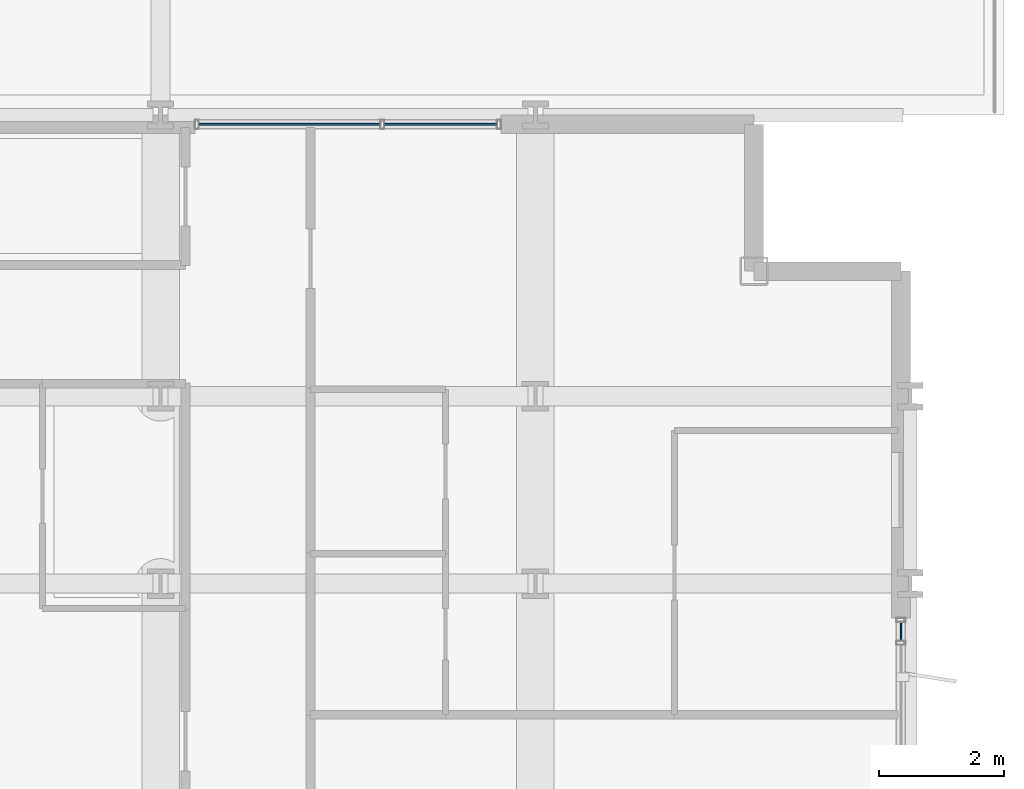
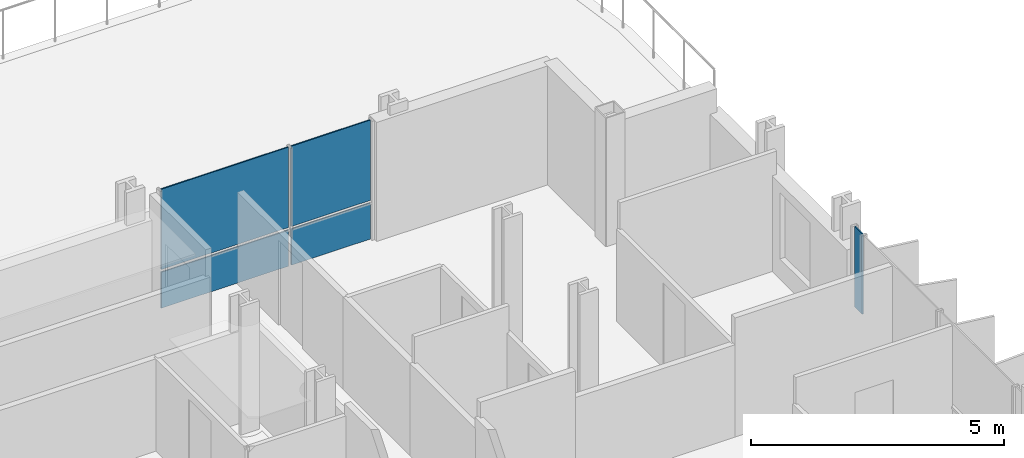
# One storey, part 24 of 38: 5 plates, 2 elements without a shape of their own.
"""IFC4 building model written with IfcOpenShell, lengths in metres."""

from ifc_helpers import new_model, si_unit, direction, frame, origin, origin_2d, place, context, subcontext, project, spatial, rectangle, extrude, material, layer, layer_set, type_object, element, aggregate, save


model = new_model("IFC4")

# Units and contexts
model_context = context("Model", 3, precision=1e-05, world=origin(), true_north=direction((0.0, 1.0)))
body_context = subcontext(model_context, "Body", "Model", "MODEL_VIEW")
ifc_project = project(units=[si_unit("LENGTHUNIT", "METRE"), si_unit("AREAUNIT", "SQUARE_METRE"), si_unit("VOLUMEUNIT", "CUBIC_METRE"), si_unit("PLANEANGLEUNIT", "RADIAN"), si_unit("MASSUNIT", "GRAM", prefix="KILO")], contexts=[model_context])

# Site, building, storey
site_placement = place(None, origin())
site = spatial("IfcSite", under=ifc_project, at=site_placement, CompositionType="ELEMENT")
building_placement = place(site_placement, origin())
building = spatial("IfcBuilding", under=site, at=building_placement, Name="Brevholm Reach", CompositionType="ELEMENT")
storey_placement = place(building_placement, frame((0.0, 0.0, 28.0)))
storey = spatial("IfcBuildingStorey", under=building, at=storey_placement, Name="L06", CompositionType="ELEMENT", Elevation=28.0)

# Curtain wall, plate
ifc_material_1 = material(Name="Dark Anodised Aluminium 6063-T6 and Solar-Control Glass", Category="aluminium")
ifc_layer_1 = layer(ifc_material_1, 0.14990234375)
ifc_layer_set_1 = layer_set([ifc_layer_1], Name="Dark Anodised Aluminium 6063-T6 and Solar-Control Glass")
curtain_wall_type = type_object("IfcCurtainWallType", Name="CW-01", PredefinedType="NOTDEFINED", material=ifc_layer_set_1)
curtain_wall_1_placement = place(storey_placement, origin())
curtain_wall_1 = element("IfcCurtainWall", 1, at=curtain_wall_1_placement, inside=storey, type_object=curtain_wall_type, Name="L06 Curtain Wall CW-01", PredefinedType="NOTDEFINED")
ifc_material_2 = material(Name="Dark Solar-Control Double-Glazed IGU Glass", Category="glass")
ifc_layer_2 = layer(ifc_material_2, 0.028076171875)
ifc_layer_set_2 = layer_set([ifc_layer_2], Name="Dark Solar-Control Double-Glazed IGU Glass")
plate_type = type_object("IfcPlateType", Name="CWP-GLZ-28", PredefinedType="CURTAIN_PANEL", material=ifc_layer_set_2)
plate_1_placement = place(storey_placement, frame((59.85009765625, 22.733642578125, 0.9326171875), z_axis=(0.0, 0.0, 1.0), x_axis=(0.0, 1.0, 0.0)))
plate_1 = element("IfcPlate", 2, at=plate_1_placement, type_object=plate_type, Name="CP-01 Glazing Panel 5.2", PredefinedType="CURTAIN_PANEL", context=body_context, shape_type="SweptSolid", body=[
    extrude(rectangle(XDim=0.302490234375, YDim=0.028076171875, at=origin_2d()), origin(), (0.0, 0.0, 1.0), 1.9375),
])
aggregate(curtain_wall_1, [plate_1])

# Curtain wall, plates
curtain_wall_2_placement = place(storey_placement, origin())
curtain_wall_2 = element("IfcCurtainWall", 3, at=curtain_wall_2_placement, inside=storey, type_object=curtain_wall_type, Name="L06 Curtain Wall CW-01", PredefinedType="NOTDEFINED")
plate_2_placement = place(storey_placement, frame((50.066162109375, 30.85009765625, 0.0), z_axis=(0.0, 0.0, 1.0), x_axis=(1.0, 0.0, 0.0)))
plate_2 = element("IfcPlate", 4, at=plate_2_placement, type_object=plate_type, Name="CP-01 Glazing Panel 1.1", PredefinedType="CURTAIN_PANEL", context=body_context, shape_type="SweptSolid", body=[
    extrude(rectangle(XDim=2.902587890625, YDim=0.028076171875, at=origin_2d()), origin(), (0.0, 0.0, 1.0), 0.867431640625),
])
plate_3_placement = place(storey_placement, frame((50.066162109375, 30.85009765625, 0.9326171875), z_axis=(0.0, 0.0, 1.0), x_axis=(1.0, 0.0, 0.0)))
plate_3 = element("IfcPlate", 5, at=plate_3_placement, type_object=plate_type, Name="CP-01 Glazing Panel 1.2", PredefinedType="CURTAIN_PANEL", context=body_context, shape_type="SweptSolid", body=[
    extrude(rectangle(XDim=2.902587890625, YDim=0.028076171875, at=origin_2d()), origin(), (0.0, 0.0, 1.0), 1.9375),
])
plate_4_placement = place(storey_placement, frame((52.483642578125, 30.85009765625, 0.0), z_axis=(0.0, 0.0, 1.0), x_axis=(1.0, 0.0, 0.0)))
plate_4 = element("IfcPlate", 6, at=plate_4_placement, type_object=plate_type, Name="CP-01 Glazing Panel 2.1", PredefinedType="CURTAIN_PANEL", context=body_context, shape_type="SweptSolid", body=[
    extrude(rectangle(XDim=1.802490234375, YDim=0.028076171875, at=origin_2d()), origin(), (0.0, 0.0, 1.0), 0.867431640625),
])
plate_5_placement = place(storey_placement, frame((52.483642578125, 30.85009765625, 0.9326171875), z_axis=(0.0, 0.0, 1.0), x_axis=(1.0, 0.0, 0.0)))
plate_5 = element("IfcPlate", 7, at=plate_5_placement, type_object=plate_type, Name="CP-01 Glazing Panel 2.2", PredefinedType="CURTAIN_PANEL", context=body_context, shape_type="SweptSolid", body=[
    extrude(rectangle(XDim=1.802490234375, YDim=0.028076171875, at=origin_2d()), origin(), (0.0, 0.0, 1.0), 1.9375),
])
aggregate(curtain_wall_2, [plate_2, plate_3, plate_4, plate_5])

save(model, "model.ifc")
